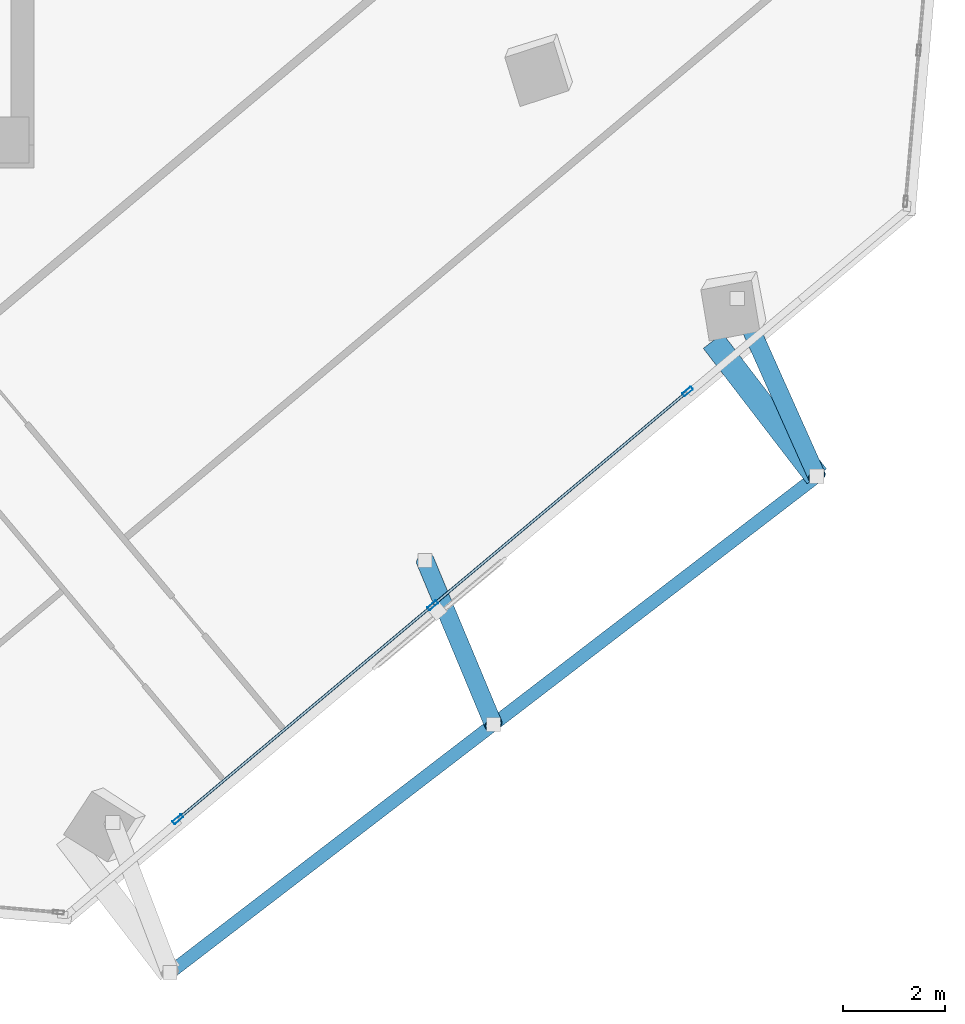
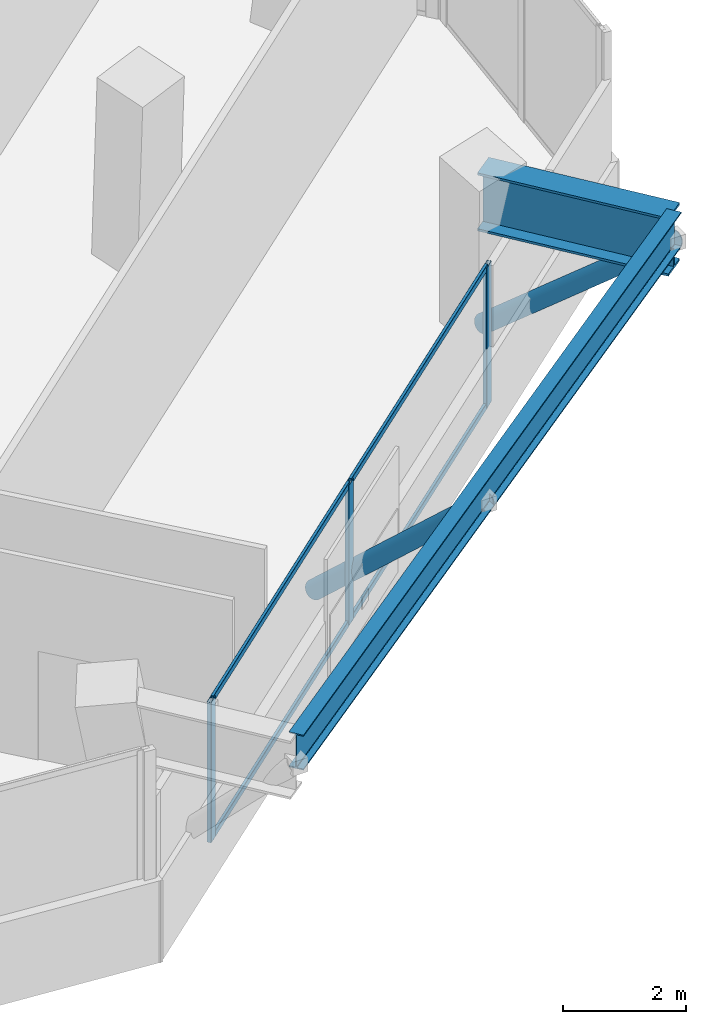
# One storey, part 5 of 17: 9 members, 2 beams, 1 element without a shape of its own.
"""IFC4 building model written with IfcOpenShell, lengths in metres."""

from ifc_helpers import new_model, si_unit, direction, frame, origin, origin_2d, place, context, subcontext, project, spatial, hollow_rectangle, hollow_circle, i_section, extrude, source, transform, mapped, material, material_profile, profile_set, type_object, element, aggregate, save


model = new_model("IFC4")

# Units and contexts
model_context = context("Model", 3, precision=1e-05, world=origin(), true_north=direction((0.0, 1.0)))
body_context = subcontext(model_context, "Body", "Model", "MODEL_VIEW")
ifc_project = project(units=[si_unit("LENGTHUNIT", "METRE"), si_unit("AREAUNIT", "SQUARE_METRE"), si_unit("VOLUMEUNIT", "CUBIC_METRE"), si_unit("PLANEANGLEUNIT", "RADIAN"), si_unit("MASSUNIT", "GRAM", prefix="KILO")], contexts=[model_context])

# Site, building, storey
site_placement = place(None, origin())
site = spatial("IfcSite", under=ifc_project, at=site_placement, CompositionType="ELEMENT")
building_placement = place(site_placement, origin())
building = spatial("IfcBuilding", under=site, at=building_placement, Name="Torre Montelarca", CompositionType="ELEMENT")
storey_placement = place(building_placement, frame((0.0, 0.0, 275.199951171875)))
storey = spatial("IfcBuildingStorey", under=building, at=storey_placement, Name="L62", CompositionType="ELEMENT", Elevation=275.199951171875)

# Members
ifc_material_1 = material(Name="Steel ASTM A500 Grade C", Category="steel")
ifc_material_profile_1 = material_profile(ifc_material_1, hollow_circle(Radius=0.177734375, WallThickness=0.015869140625, at=origin_2d()), Name="HSS355.6X15.9", Category="steel")
ifc_profile_set_1 = profile_set([ifc_material_profile_1], Name="Steel ASTM A500 Grade C")
member_type_1 = type_object("IfcMemberType", Name="MB-BR-CHS356-EXT", PredefinedType="BRACE", material=ifc_profile_set_1)
shared_shape_1 = source(origin(), body_context, "Body", "SweptSolid", [
    extrude(hollow_circle(Radius=0.177734375, WallThickness=0.015869140625, at=origin_2d()), origin(), (0.0, 0.0, 1.0), 5.0078125),
])
member_1_placement = place(storey_placement, frame((40.805419921875, 21.4384765625, 0.150146484375), z_axis=(0.311569172836, -0.696898971318, 0.645953925845), x_axis=(0.912916580533, 0.408146195606, 0.0)))
element("IfcMember", 1, at=member_1_placement, inside=storey, type_object=member_type_1, Name="L63 Sliding Tray Exterior Diagonal Raker Strut E3", PredefinedType="BRACE", context=body_context, shape_type="MappedRepresentation", body=[
    mapped(shared_shape_1, transform((0.0, 0.0, 0.0), scale=1.0)),
])
shared_shape_2 = source(origin(), body_context, "Body", "SweptSolid", [
    extrude(hollow_circle(Radius=0.177734375, WallThickness=0.015869140625, at=origin_2d()), origin(), (0.0, 0.0, 1.0), 4.755859375),
])
member_2_placement = place(storey_placement, frame((34.677001953125, 16.296142578125, 0.150146484375), z_axis=(0.282188661644, -0.676544364528, 0.680189151681), x_axis=(0.922933897338, 0.384958466778, 0.0)))
element("IfcMember", 2, at=member_2_placement, inside=storey, type_object=member_type_1, Name="L63 Sliding Tray Exterior Diagonal Raker Strut E2", PredefinedType="BRACE", context=body_context, shape_type="MappedRepresentation", body=[
    mapped(shared_shape_2, transform((0.0, 0.0, 0.0), scale=1.0)),
])

# Beams
ifc_material_2 = material(Name="Steel ASTM A572 Grade 50", Category="steel")
ifc_material_profile_2 = material_profile(ifc_material_2, i_section(OverallWidth=0.47998046875, OverallDepth=1.14990234375, WebThickness=0.02197265625, FlangeThickness=0.044921875, at=origin_2d()), Name="PG1150X480X22X45", Category="steel")
ifc_profile_set_2 = profile_set([ifc_material_profile_2], Name="Steel ASTM A572 Grade 50")
beam_type_1 = type_object("IfcBeamType", Name="BM-CG-PG1400-EXT", PredefinedType="USERDEFINED", material=ifc_profile_set_2)
shared_shape_3 = source(origin(), body_context, "Body", "SweptSolid", [
    extrude(i_section(OverallWidth=0.47998046875, OverallDepth=1.14990234375, WebThickness=0.02197265625, FlangeThickness=0.044921875, at=origin_2d()), origin(), (0.0, 0.0, 1.0), 3.349853515625),
])
beam_1_placement = place(storey_placement, frame((40.326416015625, 20.606201171875, 3.385009765625), z_axis=(0.608755851541, -0.793357620002, 0.0), x_axis=(0.793357620002, 0.608755851541, 0.0)))
element("IfcBeam", 3, at=beam_1_placement, inside=storey, type_object=beam_type_1, Name="L62 Sliding Tray Cantilever Girder East Y=40m (FLR)", ObjectType="CANTILEVER GIRDER", PredefinedType="USERDEFINED", context=body_context, shape_type="MappedRepresentation", body=[
    mapped(shared_shape_3, transform((0.0, 0.0, 0.0), scale=1.0)),
])
ifc_material_3 = material(Name="Steel ASTM A992 Grade 50", Category="steel")
ifc_material_profile_3 = material_profile(ifc_material_3, i_section(OverallWidth=0.256103515625, OverallDepth=0.693115234375, WebThickness=0.014404296875, FlangeThickness=0.023681640625, FilletRadius=0.01806640625, at=origin_2d()), Name="W690X170", Category="steel")
ifc_profile_set_3 = profile_set([ifc_material_profile_3], Name="Steel ASTM A992 Grade 50")
beam_type_2 = type_object("IfcBeamType", Name="BM-G-W690-EXT", PredefinedType="BEAM", material=ifc_profile_set_3)
shared_shape_4 = source(origin(), body_context, "Body", "SweptSolid", [
    extrude(i_section(OverallWidth=0.256103515625, OverallDepth=0.693115234375, WebThickness=0.014404296875, FlangeThickness=0.023681640625, FilletRadius=0.01806640625, at=origin_2d()), origin(), (0.0, 0.0, 1.0), 15.999755859375),
])
beam_2_placement = place(storey_placement, frame((29.672119140625, 8.20849609375, 3.614013671875), z_axis=(0.793357998427, 0.60875535836, 0.0), x_axis=(-0.60875535836, 0.793357998427, 0.0)))
element("IfcBeam", 4, at=beam_2_placement, inside=storey, type_object=beam_type_2, Name="L62 Sliding Tray Edge Girder East 24-40m (FLR)", PredefinedType="BEAM", context=body_context, shape_type="MappedRepresentation", body=[
    mapped(shared_shape_4, transform((0.0, 0.0, 0.0), scale=1.0)),
])

# Curtain wall, members
ifc_material_4 = material(Name="Insulated low-E laminated glass", Category="glass")
curtain_wall_type = type_object("IfcCurtainWallType", Name="CW-SYS-Z3", PredefinedType="USERDEFINED", material=ifc_material_4)
curtain_wall_placement = place(storey_placement, origin())
curtain_wall = element("IfcCurtainWall", 5, at=curtain_wall_placement, inside=storey, type_object=curtain_wall_type, Name="L62 Curtain Wall Run CW-T3-L62-E06-B1", ObjectType="UNITISED GLAZING", PredefinedType="USERDEFINED")
ifc_material_5 = material(Name="Anodised aluminium AA 6063-T6", Category="aluminium")
ifc_material_profile_4 = material_profile(ifc_material_5, hollow_rectangle(XDim=0.074951171875, YDim=0.219970703125, WallThickness=0.0048828125, InnerFilletRadius=0.0048828125, OuterFilletRadius=0.010009765625, at=origin_2d()), Name="ALU75X220X5", Category="aluminium")
ifc_profile_set_4 = profile_set([ifc_material_profile_4], Name="Anodised aluminium AA 6063-T6")
member_type_2 = type_object("IfcMemberType", Name="CWM-ALU220", PredefinedType="MULLION", material=ifc_profile_set_4)
shared_shape_5 = source(origin(), body_context, "Body", "SweptSolid", [
    extrude(hollow_rectangle(XDim=0.074951171875, YDim=0.219970703125, WallThickness=0.0048828125, InnerFilletRadius=0.0048828125, OuterFilletRadius=0.010009765625, at=origin_2d()), origin(), (0.0, 0.0, 1.0), 2.775146484375),
])
member_3_placement = place(storey_placement, frame((29.8232421875, 11.218017578125, 0.0), z_axis=(0.0, 0.0, 1.0), x_axis=(-0.642789824317, 0.766042584818, 0.0)))
member_3 = element("IfcMember", 6, at=member_3_placement, type_object=member_type_2, Name="CW mullion 1", PredefinedType="MULLION", context=body_context, shape_type="MappedRepresentation", body=[
    mapped(shared_shape_5, transform((0.0, 0.0, 0.0), scale=1.0)),
])
member_4_placement = place(storey_placement, frame((34.82666015625, 15.41650390625, 0.0), z_axis=(0.0, 0.0, 1.0), x_axis=(-0.642789824317, 0.766042584818, 0.0)))
member_4 = element("IfcMember", 7, at=member_4_placement, type_object=member_type_2, Name="CW mullion 2", PredefinedType="MULLION", context=body_context, shape_type="MappedRepresentation", body=[
    mapped(shared_shape_5, transform((0.0, 0.0, 0.0), scale=1.0)),
])
member_5_placement = place(storey_placement, frame((39.830078125, 19.61474609375, 0.0), z_axis=(0.0, 0.0, 1.0), x_axis=(-0.642789824317, 0.766042584818, 0.0)))
member_5 = element("IfcMember", 8, at=member_5_placement, type_object=member_type_2, Name="CW mullion 3", PredefinedType="MULLION", context=body_context, shape_type="MappedRepresentation", body=[
    mapped(shared_shape_5, transform((0.0, 0.0, 0.0), scale=1.0)),
])
ifc_material_profile_5 = material_profile(ifc_material_5, hollow_rectangle(XDim=0.054931640625, YDim=0.1201171875, WallThickness=0.00341796875, InnerFilletRadius=0.00341796875, OuterFilletRadius=0.007080078125, at=origin_2d()), Name="ALU55X120X3.5", Category="aluminium")
ifc_profile_set_5 = profile_set([ifc_material_profile_5], Name="Anodised aluminium AA 6063-T6")
member_type_3 = type_object("IfcMemberType", Name="CWT-ALU120", PredefinedType="USERDEFINED", material=ifc_profile_set_5)
shared_shape_6 = source(origin(), body_context, "Body", "SweptSolid", [
    extrude(hollow_rectangle(XDim=0.054931640625, YDim=0.1201171875, WallThickness=0.00341796875, InnerFilletRadius=0.00341796875, OuterFilletRadius=0.007080078125, at=origin_2d()), origin(), (0.0, 0.0, 1.0), 6.456298828125),
])
member_6_placement = place(storey_placement, frame((29.85205078125, 11.2421875, 0.027587890625), z_axis=(0.766034766887, 0.642799141194, 0.0), x_axis=(-0.642799141194, 0.766034766887, 0.0)))
member_6 = element("IfcMember", 9, at=member_6_placement, type_object=member_type_3, Name="CW transom 1.1", ObjectType="TRANSOM", PredefinedType="USERDEFINED", context=body_context, shape_type="MappedRepresentation", body=[
    mapped(shared_shape_6, transform((0.0, 0.0, 0.0), scale=1.0)),
])
member_7_placement = place(storey_placement, frame((29.85205078125, 11.2421875, 2.74755859375), z_axis=(0.766034766887, 0.642799141194, 0.0), x_axis=(-0.642799141194, 0.766034766887, 0.0)))
member_7 = element("IfcMember", 10, at=member_7_placement, type_object=member_type_3, Name="CW transom 1.2", ObjectType="TRANSOM", PredefinedType="USERDEFINED", context=body_context, shape_type="MappedRepresentation", body=[
    mapped(shared_shape_6, transform((0.0, 0.0, 0.0), scale=1.0)),
])
member_8_placement = place(storey_placement, frame((34.85546875, 15.4404296875, 0.027587890625), z_axis=(0.766034766887, 0.642799141194, 0.0), x_axis=(-0.642799141194, 0.766034766887, 0.0)))
member_8 = element("IfcMember", 11, at=member_8_placement, type_object=member_type_3, Name="CW transom 2.1", ObjectType="TRANSOM", PredefinedType="USERDEFINED", context=body_context, shape_type="MappedRepresentation", body=[
    mapped(shared_shape_6, transform((0.0, 0.0, 0.0), scale=1.0)),
])
member_9_placement = place(storey_placement, frame((34.85546875, 15.4404296875, 2.74755859375), z_axis=(0.766034766887, 0.642799141194, 0.0), x_axis=(-0.642799141194, 0.766034766887, 0.0)))
member_9 = element("IfcMember", 12, at=member_9_placement, type_object=member_type_3, Name="CW transom 2.2", ObjectType="TRANSOM", PredefinedType="USERDEFINED", context=body_context, shape_type="MappedRepresentation", body=[
    mapped(shared_shape_6, transform((0.0, 0.0, 0.0), scale=1.0)),
])
aggregate(curtain_wall, [member_3, member_4, member_5, member_6, member_7, member_8, member_9])

save(model, "model.ifc")
